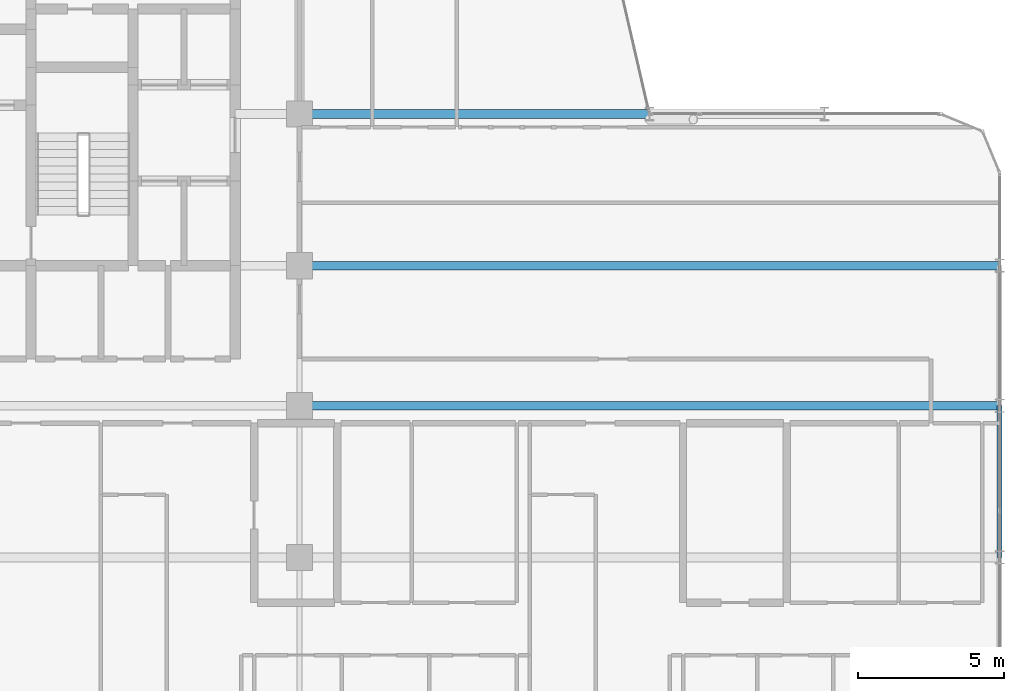
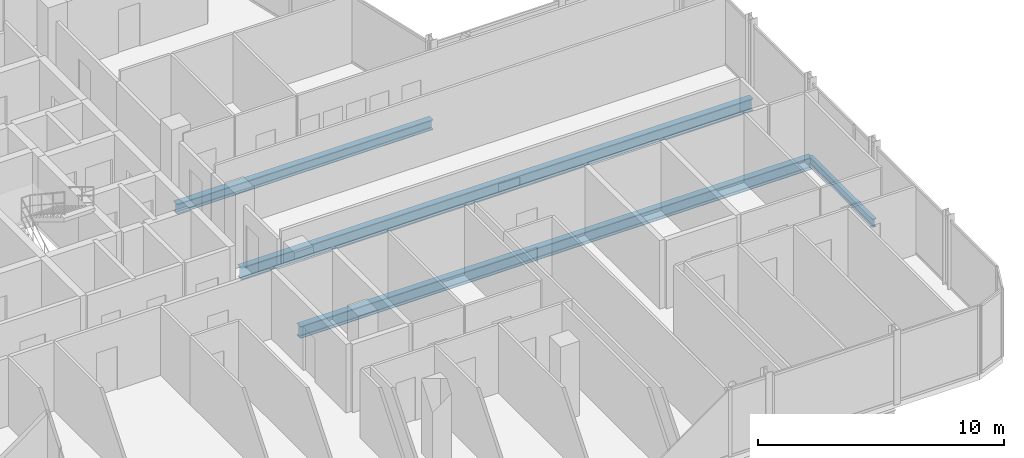
# One storey, part 13 of 29: 4 beams.
"""IFC4 building model written with IfcOpenShell, lengths in metres."""

from ifc_helpers import new_model, si_unit, direction, frame, origin, origin_2d, place, context, subcontext, project, spatial, i_section, extrude, material, material_profile, profile_set, type_object, element, save


model = new_model("IFC4")

# Units and contexts
model_context = context("Model", 3, precision=1e-05, world=origin(), true_north=direction((0.0, 1.0)))
body_context = subcontext(model_context, "Body", "Model", "MODEL_VIEW")
ifc_project = project(units=[si_unit("LENGTHUNIT", "METRE"), si_unit("AREAUNIT", "SQUARE_METRE"), si_unit("VOLUMEUNIT", "CUBIC_METRE"), si_unit("PLANEANGLEUNIT", "RADIAN"), si_unit("MASSUNIT", "GRAM", prefix="KILO")], contexts=[model_context])

# Site, building, storey
site_placement = place(None, origin())
site = spatial("IfcSite", under=ifc_project, at=site_placement, CompositionType="ELEMENT")
building_placement = place(site_placement, origin())
building = spatial("IfcBuilding", under=site, at=building_placement, Name="Keshet Zoharim Tower", CompositionType="ELEMENT")
storey_placement = place(building_placement, frame((0.0, 0.0, 192.10009765625)))
storey = spatial("IfcBuildingStorey", under=building, at=storey_placement, Name="L47", CompositionType="ELEMENT", Elevation=192.10009765625)

# Beams
ifc_material = material(Name="Steel S355", Category="steel")
ifc_material_profile_1 = material_profile(ifc_material, i_section(OverallWidth=0.300048828125, OverallDepth=0.60009765625, WebThickness=0.015380859375, FlangeThickness=0.030029296875, FilletRadius=0.027099609375, at=origin_2d()), Name="HEB600")
ifc_profile_set_1 = profile_set([ifc_material_profile_1], Name="Steel S355")
beam_type_1 = type_object("IfcBeamType", Name="BM-LNG-HB600", PredefinedType="BEAM", material=ifc_profile_set_1)
for number, where, z_axis, x_axis, name in (
    (1, (33.0, 17.89990234375, -0.610107421875), (1.0, 0.0, 0.0), (0.0, 1.0, 0.0), "L47 Primary Girder X-013"),
    (2, (33.0, 22.699951171875, -0.610107421875), (1.0, 0.0, 0.0), (0.0, 1.0, 0.0), "L47 Primary Girder X-014"),
):
    element("IfcBeam", number, at=place(storey_placement, frame(where, z_axis=z_axis, x_axis=x_axis)), inside=storey, type_object=beam_type_1, Name=name, PredefinedType="BEAM", context=body_context, shape_type="SweptSolid", body=[
        extrude(i_section(OverallWidth=0.300048828125, OverallDepth=0.60009765625, WebThickness=0.015380859375, FlangeThickness=0.030029296875, FilletRadius=0.027099609375, at=origin_2d()), origin(), (0.0, 0.0, 1.0), 24.0),
    ])
ifc_material_profile_2 = material_profile(ifc_material, i_section(OverallWidth=0.300048828125, OverallDepth=0.5, WebThickness=0.014404296875, FlangeThickness=0.028076171875, FilletRadius=0.027099609375, at=origin_2d()), Name="HEB500")
ifc_profile_set_2 = profile_set([ifc_material_profile_2], Name="Steel S355")
beam_type_2 = type_object("IfcBeamType", Name="BM-MED-HB500", PredefinedType="BEAM", material=ifc_profile_set_2)
beam_1_placement = place(storey_placement, frame((33.0, 27.89990234375, -0.56005859375), z_axis=(1.0, 0.0, 0.0), x_axis=(0.0, 1.0, 0.0)))
element("IfcBeam", 3, at=beam_1_placement, inside=storey, type_object=beam_type_2, Name="L47 Primary Girder X-015", PredefinedType="BEAM", context=body_context, shape_type="SweptSolid", body=[
    extrude(i_section(OverallWidth=0.300048828125, OverallDepth=0.5, WebThickness=0.014404296875, FlangeThickness=0.028076171875, FilletRadius=0.027099609375, at=origin_2d()), origin(), (0.0, 0.0, 1.0), 12.0),
])
ifc_material_profile_3 = material_profile(ifc_material, i_section(OverallWidth=0.179931640625, OverallDepth=0.39990234375, WebThickness=0.008544921875, FlangeThickness=0.013427734375, FilletRadius=0.02099609375, at=origin_2d()), Name="IPE400")
ifc_profile_set_3 = profile_set([ifc_material_profile_3], Name="Steel S355")
beam_type_3 = type_object("IfcBeamType", Name="BM-PRI-IP400", PredefinedType="BEAM", material=ifc_profile_set_3)
beam_2_placement = place(storey_placement, frame((57.0, 12.699951171875, -0.510009765625), z_axis=(0.0, 1.0, 0.0), x_axis=(-1.0, 0.0, 0.0)))
element("IfcBeam", 4, at=beam_2_placement, inside=storey, type_object=beam_type_3, Name="L47 Primary Girder Y-014", PredefinedType="BEAM", context=body_context, shape_type="SweptSolid", body=[
    extrude(i_section(OverallWidth=0.179931640625, OverallDepth=0.39990234375, WebThickness=0.008544921875, FlangeThickness=0.013427734375, FilletRadius=0.02099609375, at=origin_2d()), origin(), (0.0, 0.0, 1.0), 5.199951171875),
])

save(model, "model.ifc")
